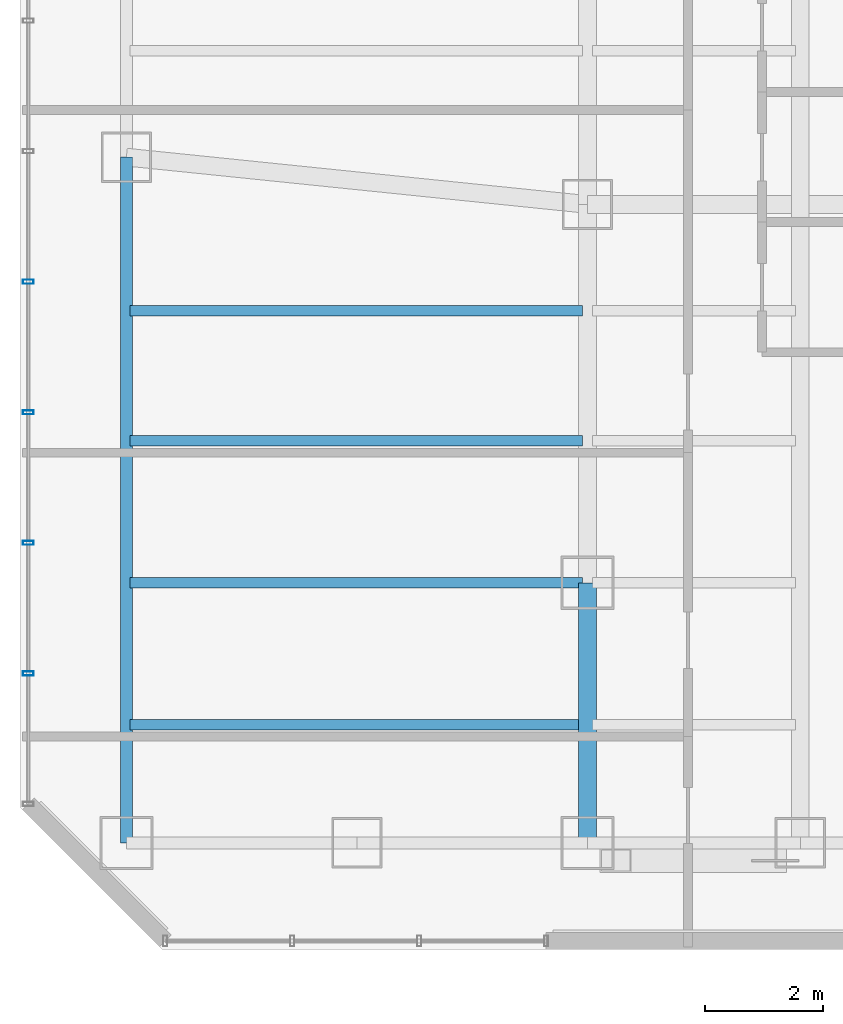
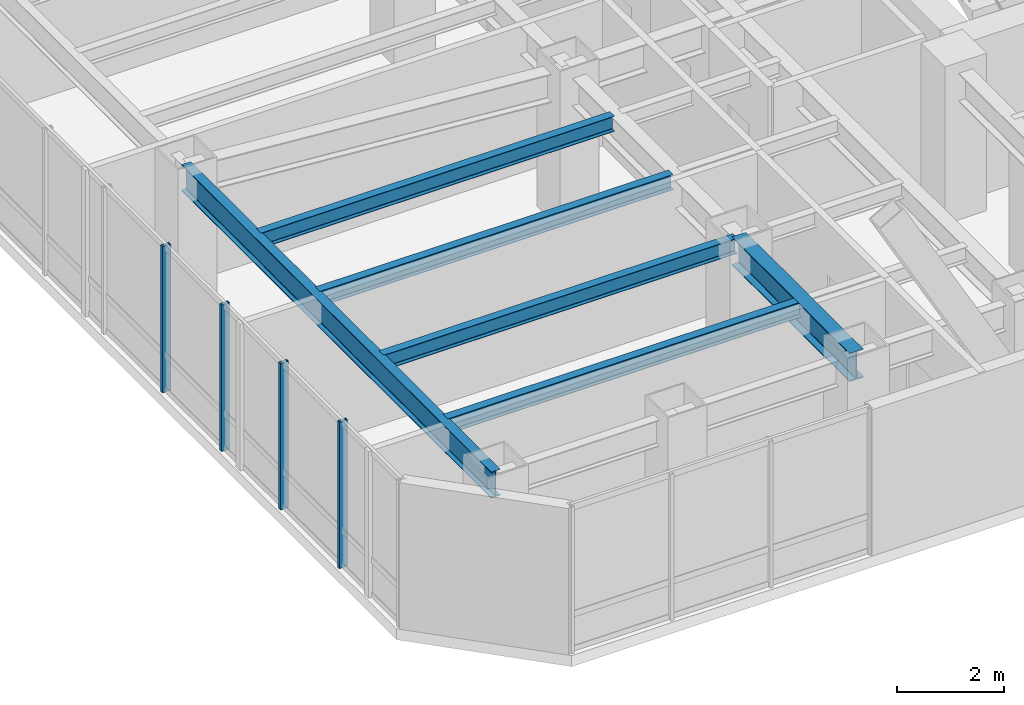
# One storey, part 4 of 31: 6 beams, 4 members, 1 element without a shape of its own.
"""IFC4 building model written with IfcOpenShell, lengths in metres."""

import ifcopenshell
import ifcopenshell.guid

model = None  # the IFC model being written
_history = None  # IfcOwnerHistory: only IFC2X3 demands one
_inside = {}  # id of a spatial element -> (the spatial element, [elements in it])
_under = {}  # id of a project, library or spatial element -> (it, [spatial elements below it])
_declared = {}  # id of a project -> (the project, [libraries it declares])
_typed = {}  # id of a type object -> (the type object, [elements of that type])
_made_of = {}  # id of a material, layer set ... -> (it, [elements and type objects made of it])


def new_model(schema):
    """Start an empty IFC model of exactly this schema.

    Asked for "IFC4X3", IfcOpenShell would pick the latest addendum, in which some entities
    have other attributes; the version numbers below select the first issue.
    IFC2X3 requires an IfcOwnerHistory on every rooted entity: one is made here for all.
    """
    global model, _history
    if schema == "IFC4X3":
        model = ifcopenshell.file(schema_version=(4, 3, 0, 0))
    else:
        model = ifcopenshell.file(schema=schema)
    _inside.clear()
    _under.clear()
    _declared.clear()
    _typed.clear()
    _made_of.clear()
    _history = None
    if model.schema == "IFC2X3":
        org = make("IfcOrganization", Name="unknown")
        user = make(
            "IfcPersonAndOrganization",
            ThePerson=make("IfcPerson", FamilyName="unknown"),
            TheOrganization=org,
        )
        app = make(
            "IfcApplication",
            ApplicationDeveloper=org,
            Version="unknown",
            ApplicationFullName="unknown",
            ApplicationIdentifier="unknown",
        )
        _history = make(
            "IfcOwnerHistory",
            OwningUser=user,
            OwningApplication=app,
            ChangeAction="ADDED",
            CreationDate=0,
        )
    return model


def make(cls, **values):
    """One entity of the class cls with the attributes given. An attribute that is None is left unset."""
    return model.create_entity(
        cls, **{name: value for name, value in values.items() if value is not None}
    )


def rooted(cls, **values):
    """An entity with a GlobalId (a new one), such as an element, a storey or a relation."""
    return make(cls, GlobalId=ifcopenshell.guid.new(), OwnerHistory=_history, **values)


def si_unit(unit_type, name, prefix=None):
    """IfcSIUnit, for example si_unit("LENGTHUNIT", "METRE", prefix="MILLI")."""
    return make("IfcSIUnit", UnitType=unit_type, Prefix=prefix, Name=name)


def assignment(units):
    """IfcUnitAssignment: the units of a project."""
    return None if units is None else make("IfcUnitAssignment", Units=units)


def point(xyz):
    """IfcCartesianPoint."""
    return None if xyz is None else make("IfcCartesianPoint", Coordinates=xyz)


def direction(xyz):
    """IfcDirection."""
    return None if xyz is None else make("IfcDirection", DirectionRatios=xyz)


def frame(location, z_axis=None, x_axis=None):
    """IfcAxis2Placement3D, a coordinate frame: its origin and axes. An axis left out is left unset."""
    return make(
        "IfcAxis2Placement3D",
        Location=point(location),
        Axis=direction(z_axis),
        RefDirection=direction(x_axis),
    )


def frame_2d(location, x_axis=None):
    """IfcAxis2Placement2D, a coordinate frame in the plane: its origin and x axis."""
    return make(
        "IfcAxis2Placement2D", Location=point(location), RefDirection=direction(x_axis)
    )


def origin():
    """The frame at (0, 0, 0) with its axes left unset."""
    return frame((0.0, 0.0, 0.0))


def origin_2d():
    """The frame at (0, 0) in the plane with its x axis left unset."""
    return frame_2d((0.0, 0.0))


def place(relative_to, where):
    """IfcLocalPlacement: puts the frame where relative to a parent placement (None: the world)."""
    return make(
        "IfcLocalPlacement", PlacementRelTo=relative_to, RelativePlacement=where
    )


def context(
    kind, dimensions, precision=None, world=None, true_north=None, identifier=None
):
    """IfcGeometricRepresentationContext, for example the 3D "Model" context."""
    return make(
        "IfcGeometricRepresentationContext",
        ContextIdentifier=identifier,
        ContextType=kind,
        CoordinateSpaceDimension=dimensions,
        Precision=precision,
        WorldCoordinateSystem=world,
        TrueNorth=true_north,
    )


def subcontext(parent, identifier, kind, view, scale=None):
    """IfcGeometricRepresentationSubContext, for example "Body" below "Model"."""
    return make(
        "IfcGeometricRepresentationSubContext",
        ContextIdentifier=identifier,
        ContextType=kind,
        ParentContext=parent,
        TargetScale=scale,
        TargetView=view,
    )


def project(units=None, contexts=None):
    """IfcProject with its units and contexts."""
    return rooted(
        "IfcProject",
        Name="project",
        RepresentationContexts=contexts,
        UnitsInContext=assignment(units),
    )


def spatial(cls, under=None, at=None, **own):
    """A site, building, storey or space (cls), placed at a placement, below another one or the project."""
    s = rooted(cls, ObjectPlacement=at, **own)
    if under is not None:
        _under.setdefault(under.id(), (under, []))[1].append(s)
    return s


def profile(cls, at=None, kind="AREA", **sizes):
    """A parametric profile (cls). Its sizes go by their IFC names, for example OverallWidth=200.0."""
    return make(cls, ProfileType=kind, Position=at, **sizes)


def hollow_rectangle(**sizes):
    """IfcRectangleHollowProfileDef."""
    return profile("IfcRectangleHollowProfileDef", **sizes)


def i_section(**sizes):
    """IfcIShapeProfileDef."""
    return profile("IfcIShapeProfileDef", **sizes)


def extrude(swept, where, along, depth):
    """IfcExtrudedAreaSolid: the profile swept, set in the frame where, extruded along a direction by depth."""
    return make(
        "IfcExtrudedAreaSolid",
        SweptArea=swept,
        Position=where,
        ExtrudedDirection=direction(along),
        Depth=depth,
    )


def shape(context_of_items, identifier, shape_type, items):
    """IfcShapeRepresentation: the items that make up one representation, for example the "Body"."""
    return make(
        "IfcShapeRepresentation",
        ContextOfItems=context_of_items,
        RepresentationIdentifier=identifier,
        RepresentationType=shape_type,
        Items=items,
    )


def material(Name=None, Category=None):
    """IfcMaterial."""
    return make("IfcMaterial", Name=Name, Category=Category)


def layer(
    of_material, thickness, ventilated=None, Name=None, Category=None, Priority=None
):
    """IfcMaterialLayer: one layer of a wall or slab, of a material (None: an air gap)."""
    return make(
        "IfcMaterialLayer",
        Material=of_material,
        LayerThickness=thickness,
        IsVentilated=ventilated,
        Name=Name,
        Category=Category,
        Priority=Priority,
    )


def layer_set(layers, Name=None):
    """IfcMaterialLayerSet."""
    return make("IfcMaterialLayerSet", MaterialLayers=layers, LayerSetName=Name)


def material_profile(
    of_material, cross_section, Name=None, Category=None, Priority=None
):
    """IfcMaterialProfile: a cross section and its material."""
    return make(
        "IfcMaterialProfile",
        Name=Name,
        Material=of_material,
        Profile=cross_section,
        Priority=Priority,
        Category=Category,
    )


def profile_set(profiles, Name=None, composite=None):
    """IfcMaterialProfileSet."""
    return make(
        "IfcMaterialProfileSet",
        Name=Name,
        MaterialProfiles=profiles,
        CompositeProfile=composite,
    )


def made_of(thing, what):
    """Note that an element or type object is made of a material, layer set ...; save() writes the relation."""
    if what is not None:
        _made_of.setdefault(what.id(), (what, []))[1].append(thing)
    return thing


def type_object(cls, material=None, **own):
    """A type object (cls), such as IfcWallType, which elements share."""
    return made_of(rooted(cls, **own), material)


def element(
    cls,
    number,
    at=None,
    inside=None,
    cuts=None,
    type_object=None,
    material=None,
    context=None,
    identifier="Body",
    shape_type=None,
    held_by="IfcProductDefinitionShape",
    body=None,
    shapes=None,
    **own,
):
    """One element of the class cls, such as IfcWall. Its Tag is "e" and its number.

    at: its placement. inside: the storey or other place that contains it. cuts: it is an
    opening in that element (IfcRelVoidsElement). A single representation is given by context,
    identifier, shape_type and body (its items); several are given by shapes. held_by: the class
    of the entity that holds the representations. save() writes the other relations.
    """
    e = rooted(cls, Tag="e%d" % number, ObjectPlacement=at, **own)
    if body is not None:
        shapes = [shape(context, identifier, shape_type, body)]
    if shapes is not None:
        e.Representation = make(held_by, Representations=shapes)
    if inside is not None:
        _inside.setdefault(inside.id(), (inside, []))[1].append(e)
    if cuts is not None:
        rooted(
            "IfcRelVoidsElement", RelatingBuildingElement=cuts, RelatedOpeningElement=e
        )
    if type_object is not None:
        _typed.setdefault(type_object.id(), (type_object, []))[1].append(e)
    return made_of(e, material)


def aggregate(whole, parts):
    """IfcRelAggregates: a whole, such as a stair, and the parts it consists of."""
    return rooted("IfcRelAggregates", RelatingObject=whole, RelatedObjects=parts)


def save(model, path):
    """Write the relations noted so far, then the file.

    IfcRelAggregates (storeys below a building ...), IfcRelContainedInSpatialStructure (elements
    in a storey), IfcRelDefinesByType, IfcRelAssociatesMaterial and IfcRelDeclares: one each for
    every whole, place, type object, material and project.
    """
    for whole, parts in _under.values():
        aggregate(whole, parts)
    for where, things in _inside.values():
        rooted(
            "IfcRelContainedInSpatialStructure",
            RelatedElements=things,
            RelatingStructure=where,
        )
    for kind, things in _typed.values():
        rooted("IfcRelDefinesByType", RelatedObjects=things, RelatingType=kind)
    for what, things in _made_of.values():
        rooted("IfcRelAssociatesMaterial", RelatedObjects=things, RelatingMaterial=what)
    for by, libraries in _declared.values():
        rooted("IfcRelDeclares", RelatingContext=by, RelatedDefinitions=libraries)
    model.write(path)


model = new_model("IFC4")

# Units and contexts
model_context = context("Model", 3, precision=1e-05, world=origin(), true_north=direction((0.0, 1.0)))
body_context = subcontext(model_context, "Body", "Model", "MODEL_VIEW")
ifc_project = project(units=[si_unit("LENGTHUNIT", "METRE"), si_unit("AREAUNIT", "SQUARE_METRE"), si_unit("VOLUMEUNIT", "CUBIC_METRE"), si_unit("PLANEANGLEUNIT", "RADIAN"), si_unit("MASSUNIT", "GRAM", prefix="KILO")], contexts=[model_context])

# Site, building, storey
site_placement = place(None, origin())
site = spatial("IfcSite", under=ifc_project, at=site_placement, CompositionType="ELEMENT")
building_placement = place(site_placement, origin())
building = spatial("IfcBuilding", under=site, at=building_placement, Name="Hatsunagi Terrace Concourse", CompositionType="ELEMENT")
storey_placement = place(building_placement, frame((0.0, 0.0, 122.85009765625)))
storey = spatial("IfcBuildingStorey", under=building, at=storey_placement, Name="L32", CompositionType="ELEMENT", Elevation=122.85009765625)

# Curtain wall, members
ifc_material_1 = material(Name="Anodised Aluminium Alloy 6063-T5", Category="aluminium")
ifc_layer = layer(ifc_material_1, 0.199951171875)
ifc_layer_set = layer_set([ifc_layer], Name="OfficeZone1_CW03")
curtain_wall_type = type_object("IfcCurtainWallType", Name="OfficeZone1_CW03", PredefinedType="NOTDEFINED", material=ifc_layer_set)
curtain_wall_placement = place(storey_placement, origin())
curtain_wall = element("IfcCurtainWall", 1, at=curtain_wall_placement, inside=storey, type_object=curtain_wall_type, Name="Unitised Curtain Wall CW-03 CW-L32-09", PredefinedType="NOTDEFINED")
ifc_material_2 = material(Name="Anodised Aluminium Alloy 6063-T5", Category="aluminium")
ifc_material_profile_1 = material_profile(ifc_material_2, hollow_rectangle(XDim=0.070068359375, YDim=0.179931640625, WallThickness=0.00390625, at=origin_2d()), Name="ALU-MUL-180x70x4")
ifc_profile_set_1 = profile_set([ifc_material_profile_1], Name="Anodised Aluminium Alloy 6063-T5")
member_type = type_object("IfcMemberType", Name="CurtainWallMullion_180x70", PredefinedType="MULLION", material=ifc_profile_set_1)
member_1_placement = place(storey_placement, frame((9.739990234375, 28.06591796875, 0.0), z_axis=(0.0, 0.0, 1.0), x_axis=(0.0, 1.0, 0.0)))
member_1 = element("IfcMember", 2, at=member_1_placement, type_object=member_type, Name="Curtain Wall Mullion MUL-02", PredefinedType="MULLION", context=body_context, shape_type="SweptSolid", body=[
    extrude(hollow_rectangle(XDim=0.070068359375, YDim=0.179931640625, WallThickness=0.00390625, at=origin_2d()), origin(), (0.0, 0.0, 1.0), 3.349853515625),
])
member_2_placement = place(storey_placement, frame((9.739990234375, 30.27490234375, 0.0), z_axis=(0.0, 0.0, 1.0), x_axis=(0.0, 1.0, 0.0)))
member_2 = element("IfcMember", 3, at=member_2_placement, type_object=member_type, Name="Curtain Wall Mullion MUL-02", PredefinedType="MULLION", context=body_context, shape_type="SweptSolid", body=[
    extrude(hollow_rectangle(XDim=0.070068359375, YDim=0.179931640625, WallThickness=0.00390625, at=origin_2d()), origin(), (0.0, 0.0, 1.0), 3.349853515625),
])
member_3_placement = place(storey_placement, frame((9.739990234375, 32.48291015625, 0.0), z_axis=(0.0, 0.0, 1.0), x_axis=(0.0, 1.0, 0.0)))
member_3 = element("IfcMember", 4, at=member_3_placement, type_object=member_type, Name="Curtain Wall Mullion MUL-02", PredefinedType="MULLION", context=body_context, shape_type="SweptSolid", body=[
    extrude(hollow_rectangle(XDim=0.070068359375, YDim=0.179931640625, WallThickness=0.00390625, at=origin_2d()), origin(), (0.0, 0.0, 1.0), 3.349853515625),
])
member_4_placement = place(storey_placement, frame((9.739990234375, 34.69189453125, 0.0), z_axis=(0.0, 0.0, 1.0), x_axis=(0.0, 1.0, 0.0)))
member_4 = element("IfcMember", 5, at=member_4_placement, type_object=member_type, Name="Curtain Wall Mullion MUL-02", PredefinedType="MULLION", context=body_context, shape_type="SweptSolid", body=[
    extrude(hollow_rectangle(XDim=0.070068359375, YDim=0.179931640625, WallThickness=0.00390625, at=origin_2d()), origin(), (0.0, 0.0, 1.0), 3.349853515625),
])
aggregate(curtain_wall, [member_1, member_2, member_3, member_4])

# Beams
ifc_material_3 = material(Name="Steel SN490B", Category="steel")
ifc_material_profile_2 = material_profile(ifc_material_3, i_section(OverallWidth=0.175048828125, OverallDepth=0.35009765625, WebThickness=0.007080078125, FlangeThickness=0.010986328125, FilletRadius=0.012939453125, at=origin_2d()), Name="H-350x175x7x11")
ifc_profile_set_2 = profile_set([ifc_material_profile_2], Name="Steel SN490B")
beam_type_1 = type_object("IfcBeamType", Name="HotelJoist_H_350x175", PredefinedType="JOIST", material=ifc_profile_set_2)
for number, where, z_axis, x_axis, name in (
    (6, (11.465087890625, 27.199951171875, 3.1748046875), (1.0, 0.0, 0.0), (0.0, 1.0, 0.0), "Beam J-02 J-L32-W-11-272"),
    (7, (11.465087890625, 29.60009765625, 3.1748046875), (1.0, 0.0, 0.0), (0.0, 1.0, 0.0), "Beam J-02 J-L32-W-11-296"),
    (8, (11.465087890625, 32.0, 3.1748046875), (1.0, 0.0, 0.0), (0.0, 1.0, 0.0), "Beam J-02 J-L32-W-11-320"),
    (9, (11.465087890625, 34.199951171875, 3.1748046875), (1.0, 0.0, 0.0), (0.0, 1.0, 0.0), "Beam J-02 J-L32-W-11-342"),
):
    element("IfcBeam", number, at=place(storey_placement, frame(where, z_axis=z_axis, x_axis=x_axis)), inside=storey, type_object=beam_type_1, Name=name, PredefinedType="JOIST", context=body_context, shape_type="SweptSolid", body=[
        extrude(i_section(OverallWidth=0.175048828125, OverallDepth=0.35009765625, WebThickness=0.007080078125, FlangeThickness=0.010986328125, FilletRadius=0.012939453125, at=origin_2d()), origin(), (0.0, 0.0, 1.0), 7.64990234375),
    ])
ifc_material_4 = material(Name="Steel SN490B", Category="steel")
ifc_material_profile_3 = material_profile(ifc_material_4, i_section(OverallWidth=0.300048828125, OverallDepth=0.64990234375, WebThickness=0.012939453125, FlangeThickness=0.02197265625, FilletRadius=0.01806640625, at=origin_2d()), Name="H-650x300x13x22")
ifc_profile_set_3 = profile_set([ifc_material_profile_3], Name="Steel SN490B")
beam_type_2 = type_object("IfcBeamType", Name="OfficeLowGirder_H_650x300", PredefinedType="BEAM", material=ifc_profile_set_3)
beam_1_placement = place(storey_placement, frame((19.199951171875, 25.199951171875, 3.02490234375), z_axis=(0.0, 1.0, 0.0), x_axis=(-1.0, 0.0, 0.0)))
element("IfcBeam", 10, at=beam_1_placement, inside=storey, type_object=beam_type_2, Name="Beam G-05 BM-L32-NS-19-25", PredefinedType="BEAM", context=body_context, shape_type="SweptSolid", body=[
    extrude(i_section(OverallWidth=0.300048828125, OverallDepth=0.64990234375, WebThickness=0.012939453125, FlangeThickness=0.02197265625, FilletRadius=0.01806640625, at=origin_2d()), origin(), (0.0, 0.0, 1.0), 4.400146484375),
])
ifc_material_5 = material(Name="Steel SN490B", Category="steel")
ifc_material_profile_4 = material_profile(ifc_material_5, i_section(OverallWidth=0.199951171875, OverallDepth=0.60009765625, WebThickness=0.010986328125, FlangeThickness=0.01708984375, FilletRadius=0.01806640625, at=origin_2d()), Name="H-600x200x11x17")
ifc_profile_set_4 = profile_set([ifc_material_profile_4], Name="Steel SN490B")
beam_type_3 = type_object("IfcBeamType", Name="PerimeterSpandrel_H_600x200", PredefinedType="SPANDREL", material=ifc_profile_set_4)
beam_2_placement = place(storey_placement, frame((11.39990234375, 25.199951171875, 3.0498046875), z_axis=(0.0, 1.0, 0.0), x_axis=(-1.0, 0.0, 0.0)))
element("IfcBeam", 11, at=beam_2_placement, inside=storey, type_object=beam_type_3, Name="Beam SP-01 BM-L32-NS-11-25", PredefinedType="SPANDREL", context=body_context, shape_type="SweptSolid", body=[
    extrude(i_section(OverallWidth=0.199951171875, OverallDepth=0.60009765625, WebThickness=0.010986328125, FlangeThickness=0.01708984375, FilletRadius=0.01806640625, at=origin_2d()), origin(), (0.0, 0.0, 1.0), 11.60009765625),
])

save(model, "model.ifc")
